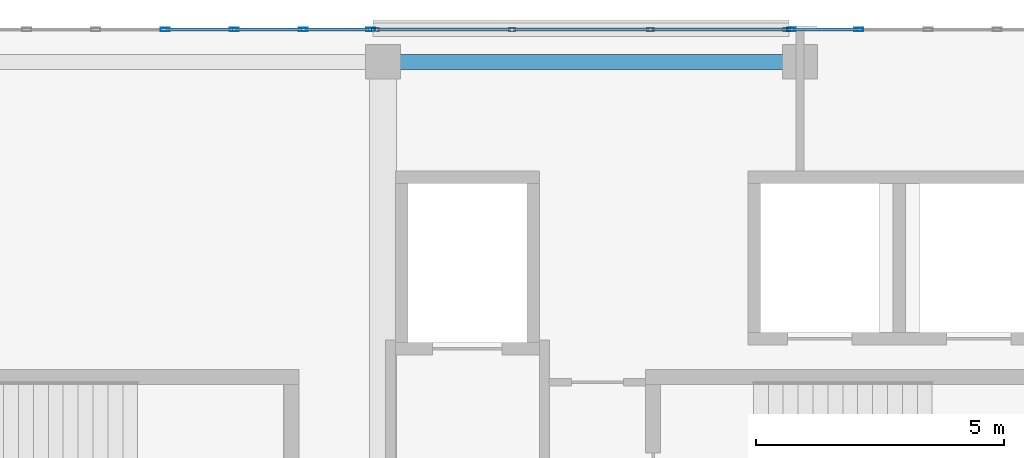
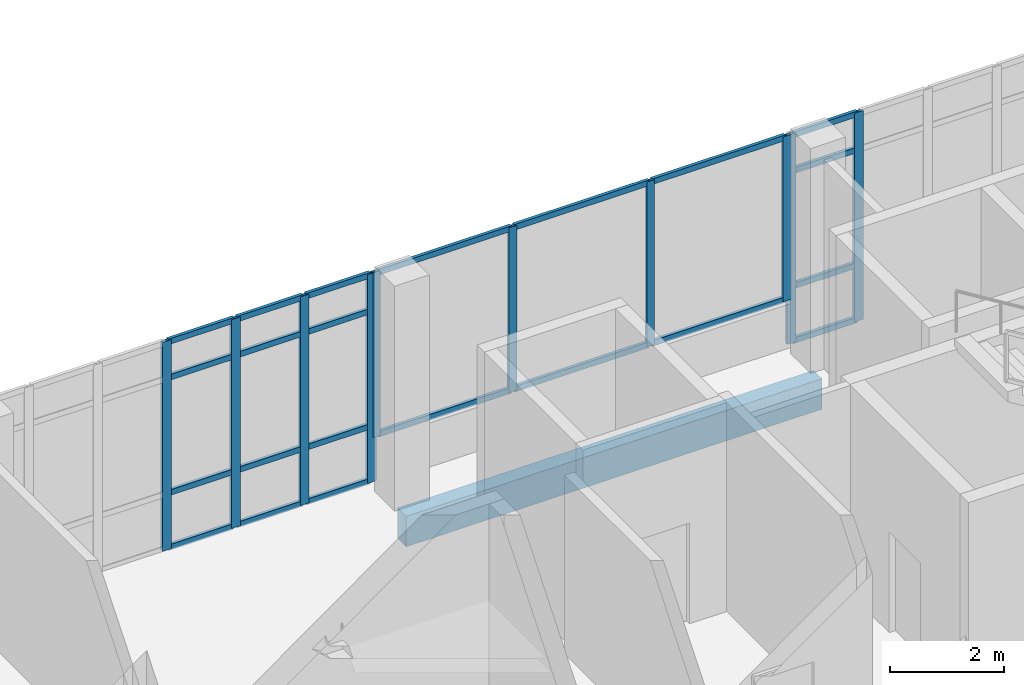
# One storey, part 85 of 155: 32 members, 1 beam, 3 elements without a shape of their own.
"""IFC4 building model written with IfcOpenShell, lengths in metres."""

from ifc_helpers import new_model, si_unit, direction, frame, origin, origin_2d, place, context, subcontext, project, spatial, rectangle, hollow_rectangle, extrude, material, material_profile, profile_set, type_object, element, aggregate, save


model = new_model("IFC4")

# Units and contexts
model_context = context("Model", 3, precision=1e-05, world=origin(), true_north=direction((0.0, 1.0)))
body_context = subcontext(model_context, "Body", "Model", "MODEL_VIEW")
ifc_project = project(units=[si_unit("LENGTHUNIT", "METRE"), si_unit("AREAUNIT", "SQUARE_METRE"), si_unit("VOLUMEUNIT", "CUBIC_METRE"), si_unit("PLANEANGLEUNIT", "RADIAN"), si_unit("MASSUNIT", "GRAM", prefix="KILO")], contexts=[model_context])

# Site, building, storey
site_placement = place(None, origin())
site = spatial("IfcSite", under=ifc_project, at=site_placement, CompositionType="ELEMENT")
building_placement = place(site_placement, origin())
building = spatial("IfcBuilding", under=site, at=building_placement, Name="Selatvlak General Hospital", CompositionType="ELEMENT")
storey_placement = place(building_placement, frame((0.0, 0.0, 10.199951171875)))
storey = spatial("IfcBuildingStorey", under=building, at=storey_placement, Name="L02", CompositionType="ELEMENT", Elevation=10.199951171875)

# Beam
ifc_material_1 = material(Name="Concrete C40/50", Category="concrete")
ifc_material_profile_1 = material_profile(ifc_material_1, rectangle(XDim=0.300048828125, YDim=0.64990234375, at=origin_2d()), Name="RC-SP 300x650")
ifc_profile_set_1 = profile_set([ifc_material_profile_1], Name="Concrete C40/50")
beam_type = type_object("IfcBeamType", Name="BM-SP1", PredefinedType="SPANDREL", material=ifc_profile_set_1)
beam_placement = place(storey_placement, frame((98.39990234375, 119.35009765625, -0.679931640625), z_axis=(1.0, 0.0, 0.0), x_axis=(0.0, 1.0, 0.0)))
element("IfcBeam", 1, at=beam_placement, inside=storey, type_object=beam_type, Name="Beam BMR-L02-0916", PredefinedType="SPANDREL", context=body_context, shape_type="SweptSolid", body=[
    extrude(rectangle(XDim=0.300048828125, YDim=0.64990234375, at=origin_2d()), origin(), (0.0, 0.0, 1.0), 8.400146484375),
])

# Curtain wall, members
ifc_material_2 = material(Name="Solar-control Low-E double glazing", Category="glass")
curtain_wall_type_1 = type_object("IfcCurtainWallType", Name="CW-CW-02", PredefinedType="USERDEFINED", material=ifc_material_2)
curtain_wall_1_placement = place(storey_placement, origin())
curtain_wall_1 = element("IfcCurtainWall", 2, at=curtain_wall_1_placement, inside=storey, type_object=curtain_wall_type_1, Name="Glazed facade curtain wall CW-L02-0253", ObjectType="UNITISED CURTAIN WALL", PredefinedType="USERDEFINED")
ifc_material_3 = material(Name="Dark anodised aluminium mullion", Category="aluminium")
ifc_material_profile_2 = material_profile(ifc_material_3, hollow_rectangle(XDim=0.06494140625, YDim=0.159912109375, WallThickness=0.00390625, at=origin_2d()), Name="AL-MUL 65x160x4")
ifc_profile_set_2 = profile_set([ifc_material_profile_2], Name="Dark anodised aluminium mullion")
member_type_1 = type_object("IfcMemberType", Name="CWM-01", PredefinedType="MULLION", material=ifc_profile_set_2)
member_1_placement = place(storey_placement, frame((98.24755859375, 119.9990234375, 0.93994140625), z_axis=(0.0, 0.0, 1.0), x_axis=(-0.000119774825, 0.999999992827, 0.0)))
member_1 = element("IfcMember", 3, at=member_1_placement, type_object=member_type_1, Name="CW-02 mullion 1", PredefinedType="MULLION", context=body_context, shape_type="SweptSolid", body=[
    extrude(hollow_rectangle(XDim=0.06494140625, YDim=0.159912109375, WallThickness=0.00390625, at=origin_2d()), origin(), (0.0, 0.0, 1.0), 3.52001953125),
])
member_2_placement = place(storey_placement, frame((100.998046875, 119.999267578125, 0.93994140625), z_axis=(0.0, 0.0, 1.0), x_axis=(-0.000119774825, 0.999999992827, 0.0)))
member_2 = element("IfcMember", 4, at=member_2_placement, type_object=member_type_1, Name="CW-02 mullion 2", PredefinedType="MULLION", context=body_context, shape_type="SweptSolid", body=[
    extrude(hollow_rectangle(XDim=0.06494140625, YDim=0.159912109375, WallThickness=0.00390625, at=origin_2d()), origin(), (0.0, 0.0, 1.0), 3.52001953125),
])
member_3_placement = place(storey_placement, frame((103.781005859375, 119.999755859375, 0.93994140625), z_axis=(0.0, 0.0, 1.0), x_axis=(-0.000119774825, 0.999999992827, 0.0)))
member_3 = element("IfcMember", 5, at=member_3_placement, type_object=member_type_1, Name="CW-02 mullion 3", PredefinedType="MULLION", context=body_context, shape_type="SweptSolid", body=[
    extrude(hollow_rectangle(XDim=0.06494140625, YDim=0.159912109375, WallThickness=0.00390625, at=origin_2d()), origin(), (0.0, 0.0, 1.0), 3.52001953125),
])
member_4_placement = place(storey_placement, frame((106.531494140625, 120.0, 0.93994140625), z_axis=(0.0, 0.0, 1.0), x_axis=(-0.000119774825, 0.999999992827, 0.0)))
member_4 = element("IfcMember", 6, at=member_4_placement, type_object=member_type_1, Name="CW-02 mullion 4", PredefinedType="MULLION", context=body_context, shape_type="SweptSolid", body=[
    extrude(hollow_rectangle(XDim=0.06494140625, YDim=0.159912109375, WallThickness=0.00390625, at=origin_2d()), origin(), (0.0, 0.0, 1.0), 3.52001953125),
])

curtain_wall_type_2 = type_object("IfcCurtainWallType", Name="CW-CW-04", PredefinedType="USERDEFINED", material=ifc_material_2)
curtain_wall_2_placement = place(storey_placement, origin())
curtain_wall_2 = element("IfcCurtainWall", 7, at=curtain_wall_2_placement, inside=storey, type_object=curtain_wall_type_2, Name="Glazed facade curtain wall CW-L02-0252", ObjectType="STICK GLAZING WALL", PredefinedType="USERDEFINED")
ifc_material_profile_3 = material_profile(ifc_material_3, hollow_rectangle(XDim=0.06494140625, YDim=0.179931640625, WallThickness=0.00439453125, at=origin_2d()), Name="AL-MUL 65x180x4.5")
ifc_profile_set_3 = profile_set([ifc_material_profile_3], Name="Dark anodised aluminium mullion")
member_type_2 = type_object("IfcMemberType", Name="CWM-02", PredefinedType="MULLION", material=ifc_profile_set_3)
member_5_placement = place(storey_placement, frame((94.010009765625, 119.9990234375, 0.0), z_axis=(0.0, 0.0, 1.0), x_axis=(0.0, 1.0, 0.0)))
member_5 = element("IfcMember", 8, at=member_5_placement, type_object=member_type_2, Name="CW-04 mullion 4", PredefinedType="MULLION", context=body_context, shape_type="SweptSolid", body=[
    extrude(hollow_rectangle(XDim=0.06494140625, YDim=0.179931640625, WallThickness=0.00439453125, at=origin_2d()), origin(), (0.0, 0.0, 1.0), 4.4599609375),
])
member_6_placement = place(storey_placement, frame((95.401611328125, 119.9990234375, 0.0), z_axis=(0.0, 0.0, 1.0), x_axis=(0.0, 1.0, 0.0)))
member_6 = element("IfcMember", 9, at=member_6_placement, type_object=member_type_2, Name="CW-04 mullion 5", PredefinedType="MULLION", context=body_context, shape_type="SweptSolid", body=[
    extrude(hollow_rectangle(XDim=0.06494140625, YDim=0.179931640625, WallThickness=0.00439453125, at=origin_2d()), origin(), (0.0, 0.0, 1.0), 4.4599609375),
])
member_7_placement = place(storey_placement, frame((96.793212890625, 119.9990234375, 0.0), z_axis=(0.0, 0.0, 1.0), x_axis=(0.0, 1.0, 0.0)))
member_7 = element("IfcMember", 10, at=member_7_placement, type_object=member_type_2, Name="CW-04 mullion 6", PredefinedType="MULLION", context=body_context, shape_type="SweptSolid", body=[
    extrude(hollow_rectangle(XDim=0.06494140625, YDim=0.179931640625, WallThickness=0.00439453125, at=origin_2d()), origin(), (0.0, 0.0, 1.0), 4.4599609375),
])
member_8_placement = place(storey_placement, frame((98.152587890625, 119.9990234375, 0.0), z_axis=(0.0, 0.0, 1.0), x_axis=(0.0, 1.0, 0.0)))
member_8 = element("IfcMember", 11, at=member_8_placement, type_object=member_type_2, Name="CW-04 mullion 7", PredefinedType="MULLION", context=body_context, shape_type="SweptSolid", body=[
    extrude(hollow_rectangle(XDim=0.06494140625, YDim=0.179931640625, WallThickness=0.00439453125, at=origin_2d()), origin(), (0.0, 0.0, 1.0), 4.4599609375),
])

curtain_wall_3_placement = place(storey_placement, origin())
curtain_wall_3 = element("IfcCurtainWall", 12, at=curtain_wall_3_placement, inside=storey, type_object=curtain_wall_type_2, Name="Glazed facade curtain wall CW-L02-0254", ObjectType="STICK GLAZING WALL", PredefinedType="USERDEFINED")
member_9_placement = place(storey_placement, frame((106.62646484375, 120.0, 0.0), z_axis=(0.0, 0.0, 1.0), x_axis=(0.0, 1.0, 0.0)))
member_9 = element("IfcMember", 13, at=member_9_placement, type_object=member_type_2, Name="CW-04 mullion 1", PredefinedType="MULLION", context=body_context, shape_type="SweptSolid", body=[
    extrude(hollow_rectangle(XDim=0.06494140625, YDim=0.179931640625, WallThickness=0.00439453125, at=origin_2d()), origin(), (0.0, 0.0, 1.0), 4.4599609375),
])
member_10_placement = place(storey_placement, frame((107.985595703125, 120.0, 0.0), z_axis=(0.0, 0.0, 1.0), x_axis=(0.0, 1.0, 0.0)))
member_10 = element("IfcMember", 14, at=member_10_placement, type_object=member_type_2, Name="CW-04 mullion 2", PredefinedType="MULLION", context=body_context, shape_type="SweptSolid", body=[
    extrude(hollow_rectangle(XDim=0.06494140625, YDim=0.179931640625, WallThickness=0.00439453125, at=origin_2d()), origin(), (0.0, 0.0, 1.0), 4.4599609375),
])

# Member
ifc_material_profile_4 = material_profile(ifc_material_3, hollow_rectangle(XDim=0.06494140625, YDim=0.1201171875, WallThickness=0.00390625, at=origin_2d()), Name="AL-TRN 65x120x4")
ifc_profile_set_4 = profile_set([ifc_material_profile_4], Name="Dark anodised aluminium mullion")
member_type_3 = type_object("IfcMemberType", Name="CWT-01", PredefinedType="USERDEFINED", material=ifc_profile_set_4)
member_11_placement = place(storey_placement, frame((94.04248046875, 119.9990234375, 0.032470703125), z_axis=(1.0, 0.0, 0.0), x_axis=(0.0, 1.0, 0.0)))
member_11 = element("IfcMember", 15, at=member_11_placement, type_object=member_type_3, Name="CW-04 transom 4.1", ObjectType="TRANSOM", PredefinedType="USERDEFINED", context=body_context, shape_type="SweptSolid", body=[
    extrude(hollow_rectangle(XDim=0.06494140625, YDim=0.1201171875, WallThickness=0.00390625, at=origin_2d()), origin(), (0.0, 0.0, 1.0), 1.32666015625),
])

member_12_placement = place(storey_placement, frame((94.04248046875, 119.9990234375, 1.199951171875), z_axis=(1.0, 0.0, 0.0), x_axis=(0.0, 1.0, 0.0)))
member_12 = element("IfcMember", 16, at=member_12_placement, type_object=member_type_3, Name="CW-04 transom 4.2", ObjectType="TRANSOM", PredefinedType="USERDEFINED", context=body_context, shape_type="SweptSolid", body=[
    extrude(hollow_rectangle(XDim=0.06494140625, YDim=0.1201171875, WallThickness=0.00390625, at=origin_2d()), origin(), (0.0, 0.0, 1.0), 1.32666015625),
])

member_13_placement = place(storey_placement, frame((94.04248046875, 119.9990234375, 3.66015625), z_axis=(1.0, 0.0, 0.0), x_axis=(0.0, 1.0, 0.0)))
member_13 = element("IfcMember", 17, at=member_13_placement, type_object=member_type_3, Name="CW-04 transom 4.3", ObjectType="TRANSOM", PredefinedType="USERDEFINED", context=body_context, shape_type="SweptSolid", body=[
    extrude(hollow_rectangle(XDim=0.06494140625, YDim=0.1201171875, WallThickness=0.00390625, at=origin_2d()), origin(), (0.0, 0.0, 1.0), 1.32666015625),
])

member_14_placement = place(storey_placement, frame((94.04248046875, 119.9990234375, 4.427490234375), z_axis=(1.0, 0.0, 0.0), x_axis=(0.0, 1.0, 0.0)))
member_14 = element("IfcMember", 18, at=member_14_placement, type_object=member_type_3, Name="CW-04 transom 4.4", ObjectType="TRANSOM", PredefinedType="USERDEFINED", context=body_context, shape_type="SweptSolid", body=[
    extrude(hollow_rectangle(XDim=0.06494140625, YDim=0.1201171875, WallThickness=0.00390625, at=origin_2d()), origin(), (0.0, 0.0, 1.0), 1.32666015625),
])

member_15_placement = place(storey_placement, frame((95.43408203125, 119.9990234375, 0.032470703125), z_axis=(1.0, 0.0, 0.0), x_axis=(0.0, 1.0, 0.0)))
member_15 = element("IfcMember", 19, at=member_15_placement, type_object=member_type_3, Name="CW-04 transom 5.1", ObjectType="TRANSOM", PredefinedType="USERDEFINED", context=body_context, shape_type="SweptSolid", body=[
    extrude(hollow_rectangle(XDim=0.06494140625, YDim=0.1201171875, WallThickness=0.00390625, at=origin_2d()), origin(), (0.0, 0.0, 1.0), 1.32666015625),
])

member_16_placement = place(storey_placement, frame((95.43408203125, 119.9990234375, 1.199951171875), z_axis=(1.0, 0.0, 0.0), x_axis=(0.0, 1.0, 0.0)))
member_16 = element("IfcMember", 20, at=member_16_placement, type_object=member_type_3, Name="CW-04 transom 5.2", ObjectType="TRANSOM", PredefinedType="USERDEFINED", context=body_context, shape_type="SweptSolid", body=[
    extrude(hollow_rectangle(XDim=0.06494140625, YDim=0.1201171875, WallThickness=0.00390625, at=origin_2d()), origin(), (0.0, 0.0, 1.0), 1.32666015625),
])

member_17_placement = place(storey_placement, frame((95.43408203125, 119.9990234375, 3.66015625), z_axis=(1.0, 0.0, 0.0), x_axis=(0.0, 1.0, 0.0)))
member_17 = element("IfcMember", 21, at=member_17_placement, type_object=member_type_3, Name="CW-04 transom 5.3", ObjectType="TRANSOM", PredefinedType="USERDEFINED", context=body_context, shape_type="SweptSolid", body=[
    extrude(hollow_rectangle(XDim=0.06494140625, YDim=0.1201171875, WallThickness=0.00390625, at=origin_2d()), origin(), (0.0, 0.0, 1.0), 1.32666015625),
])

member_18_placement = place(storey_placement, frame((95.43408203125, 119.9990234375, 4.427490234375), z_axis=(1.0, 0.0, 0.0), x_axis=(0.0, 1.0, 0.0)))
member_18 = element("IfcMember", 22, at=member_18_placement, type_object=member_type_3, Name="CW-04 transom 5.4", ObjectType="TRANSOM", PredefinedType="USERDEFINED", context=body_context, shape_type="SweptSolid", body=[
    extrude(hollow_rectangle(XDim=0.06494140625, YDim=0.1201171875, WallThickness=0.00390625, at=origin_2d()), origin(), (0.0, 0.0, 1.0), 1.32666015625),
])

member_19_placement = place(storey_placement, frame((96.825927734375, 119.9990234375, 0.032470703125), z_axis=(1.0, 0.0, 0.0), x_axis=(0.0, 1.0, 0.0)))
member_19 = element("IfcMember", 23, at=member_19_placement, type_object=member_type_3, Name="CW-04 transom 6.1", ObjectType="TRANSOM", PredefinedType="USERDEFINED", context=body_context, shape_type="SweptSolid", body=[
    extrude(hollow_rectangle(XDim=0.06494140625, YDim=0.1201171875, WallThickness=0.00390625, at=origin_2d()), origin(), (0.0, 0.0, 1.0), 1.294189453125),
])

member_20_placement = place(storey_placement, frame((96.825927734375, 119.9990234375, 1.199951171875), z_axis=(1.0, 0.0, 0.0), x_axis=(0.0, 1.0, 0.0)))
member_20 = element("IfcMember", 24, at=member_20_placement, type_object=member_type_3, Name="CW-04 transom 6.2", ObjectType="TRANSOM", PredefinedType="USERDEFINED", context=body_context, shape_type="SweptSolid", body=[
    extrude(hollow_rectangle(XDim=0.06494140625, YDim=0.1201171875, WallThickness=0.00390625, at=origin_2d()), origin(), (0.0, 0.0, 1.0), 1.294189453125),
])

member_21_placement = place(storey_placement, frame((96.825927734375, 119.9990234375, 3.66015625), z_axis=(1.0, 0.0, 0.0), x_axis=(0.0, 1.0, 0.0)))
member_21 = element("IfcMember", 25, at=member_21_placement, type_object=member_type_3, Name="CW-04 transom 6.3", ObjectType="TRANSOM", PredefinedType="USERDEFINED", context=body_context, shape_type="SweptSolid", body=[
    extrude(hollow_rectangle(XDim=0.06494140625, YDim=0.1201171875, WallThickness=0.00390625, at=origin_2d()), origin(), (0.0, 0.0, 1.0), 1.294189453125),
])

member_22_placement = place(storey_placement, frame((96.825927734375, 119.9990234375, 4.427490234375), z_axis=(1.0, 0.0, 0.0), x_axis=(0.0, 1.0, 0.0)))
member_22 = element("IfcMember", 26, at=member_22_placement, type_object=member_type_3, Name="CW-04 transom 6.4", ObjectType="TRANSOM", PredefinedType="USERDEFINED", context=body_context, shape_type="SweptSolid", body=[
    extrude(hollow_rectangle(XDim=0.06494140625, YDim=0.1201171875, WallThickness=0.00390625, at=origin_2d()), origin(), (0.0, 0.0, 1.0), 1.294189453125),
])

aggregate(curtain_wall_2, [member_5, member_6, member_7, member_8, member_11, member_12, member_13, member_14, member_15, member_16, member_17, member_18, member_19, member_20, member_21, member_22])

member_23_placement = place(storey_placement, frame((98.280029296875, 119.9990234375, 0.97265625), z_axis=(0.999999995868, 9.0909091e-05, 0.0), x_axis=(-9.0909091e-05, 0.999999995868, 0.0)))
member_23 = element("IfcMember", 27, at=member_23_placement, type_object=member_type_3, Name="CW-02 transom 1.1", ObjectType="TRANSOM", PredefinedType="USERDEFINED", context=body_context, shape_type="SweptSolid", body=[
    extrude(hollow_rectangle(XDim=0.06494140625, YDim=0.1201171875, WallThickness=0.00390625, at=origin_2d()), origin(), (0.0, 0.0, 1.0), 2.685546875),
])

member_24_placement = place(storey_placement, frame((98.280029296875, 119.9990234375, 4.427490234375), z_axis=(0.999999995868, 9.0909091e-05, 0.0), x_axis=(-9.0909091e-05, 0.999999995868, 0.0)))
member_24 = element("IfcMember", 28, at=member_24_placement, type_object=member_type_3, Name="CW-02 transom 1.2", ObjectType="TRANSOM", PredefinedType="USERDEFINED", context=body_context, shape_type="SweptSolid", body=[
    extrude(hollow_rectangle(XDim=0.06494140625, YDim=0.1201171875, WallThickness=0.00390625, at=origin_2d()), origin(), (0.0, 0.0, 1.0), 2.685546875),
])

member_25_placement = place(storey_placement, frame((101.030517578125, 119.999267578125, 0.97265625), z_axis=(0.999999983864, 0.000179646094, 0.0), x_axis=(-0.000179646094, 0.999999983864, 0.0)))
member_25 = element("IfcMember", 29, at=member_25_placement, type_object=member_type_3, Name="CW-02 transom 2.1", ObjectType="TRANSOM", PredefinedType="USERDEFINED", context=body_context, shape_type="SweptSolid", body=[
    extrude(hollow_rectangle(XDim=0.06494140625, YDim=0.1201171875, WallThickness=0.00390625, at=origin_2d()), origin(), (0.0, 0.0, 1.0), 2.718017578125),
])

member_26_placement = place(storey_placement, frame((101.030517578125, 119.999267578125, 4.427490234375), z_axis=(0.999999983864, 0.000179646094, 0.0), x_axis=(-0.000179646094, 0.999999983864, 0.0)))
member_26 = element("IfcMember", 30, at=member_26_placement, type_object=member_type_3, Name="CW-02 transom 2.2", ObjectType="TRANSOM", PredefinedType="USERDEFINED", context=body_context, shape_type="SweptSolid", body=[
    extrude(hollow_rectangle(XDim=0.06494140625, YDim=0.1201171875, WallThickness=0.00390625, at=origin_2d()), origin(), (0.0, 0.0, 1.0), 2.718017578125),
])

member_27_placement = place(storey_placement, frame((103.8134765625, 119.999755859375, 0.97265625), z_axis=(0.999999995868, 9.0909091e-05, 0.0), x_axis=(-9.0909091e-05, 0.999999995868, 0.0)))
member_27 = element("IfcMember", 31, at=member_27_placement, type_object=member_type_3, Name="CW-02 transom 3.1", ObjectType="TRANSOM", PredefinedType="USERDEFINED", context=body_context, shape_type="SweptSolid", body=[
    extrude(hollow_rectangle(XDim=0.06494140625, YDim=0.1201171875, WallThickness=0.00390625, at=origin_2d()), origin(), (0.0, 0.0, 1.0), 2.685546875),
])

member_28_placement = place(storey_placement, frame((103.8134765625, 119.999755859375, 4.427490234375), z_axis=(0.999999995868, 9.0909091e-05, 0.0), x_axis=(-9.0909091e-05, 0.999999995868, 0.0)))
member_28 = element("IfcMember", 32, at=member_28_placement, type_object=member_type_3, Name="CW-02 transom 3.2", ObjectType="TRANSOM", PredefinedType="USERDEFINED", context=body_context, shape_type="SweptSolid", body=[
    extrude(hollow_rectangle(XDim=0.06494140625, YDim=0.1201171875, WallThickness=0.00390625, at=origin_2d()), origin(), (0.0, 0.0, 1.0), 2.685546875),
])

aggregate(curtain_wall_1, [member_1, member_2, member_3, member_4, member_23, member_24, member_25, member_26, member_27, member_28])

member_29_placement = place(storey_placement, frame((106.658935546875, 120.0, 0.032470703125), z_axis=(1.0, 0.0, 0.0), x_axis=(0.0, 1.0, 0.0)))
member_29 = element("IfcMember", 33, at=member_29_placement, type_object=member_type_3, Name="CW-04 transom 1.1", ObjectType="TRANSOM", PredefinedType="USERDEFINED", context=body_context, shape_type="SweptSolid", body=[
    extrude(hollow_rectangle(XDim=0.06494140625, YDim=0.1201171875, WallThickness=0.00390625, at=origin_2d()), origin(), (0.0, 0.0, 1.0), 1.294189453125),
])

member_30_placement = place(storey_placement, frame((106.658935546875, 120.0, 1.199951171875), z_axis=(1.0, 0.0, 0.0), x_axis=(0.0, 1.0, 0.0)))
member_30 = element("IfcMember", 34, at=member_30_placement, type_object=member_type_3, Name="CW-04 transom 1.2", ObjectType="TRANSOM", PredefinedType="USERDEFINED", context=body_context, shape_type="SweptSolid", body=[
    extrude(hollow_rectangle(XDim=0.06494140625, YDim=0.1201171875, WallThickness=0.00390625, at=origin_2d()), origin(), (0.0, 0.0, 1.0), 1.294189453125),
])

member_31_placement = place(storey_placement, frame((106.658935546875, 120.0, 3.66015625), z_axis=(1.0, 0.0, 0.0), x_axis=(0.0, 1.0, 0.0)))
member_31 = element("IfcMember", 35, at=member_31_placement, type_object=member_type_3, Name="CW-04 transom 1.3", ObjectType="TRANSOM", PredefinedType="USERDEFINED", context=body_context, shape_type="SweptSolid", body=[
    extrude(hollow_rectangle(XDim=0.06494140625, YDim=0.1201171875, WallThickness=0.00390625, at=origin_2d()), origin(), (0.0, 0.0, 1.0), 1.294189453125),
])

member_32_placement = place(storey_placement, frame((106.658935546875, 120.0, 4.427490234375), z_axis=(1.0, 0.0, 0.0), x_axis=(0.0, 1.0, 0.0)))
member_32 = element("IfcMember", 36, at=member_32_placement, type_object=member_type_3, Name="CW-04 transom 1.4", ObjectType="TRANSOM", PredefinedType="USERDEFINED", context=body_context, shape_type="SweptSolid", body=[
    extrude(hollow_rectangle(XDim=0.06494140625, YDim=0.1201171875, WallThickness=0.00390625, at=origin_2d()), origin(), (0.0, 0.0, 1.0), 1.294189453125),
])

aggregate(curtain_wall_3, [member_9, member_10, member_29, member_30, member_31, member_32])

save(model, "model.ifc")
